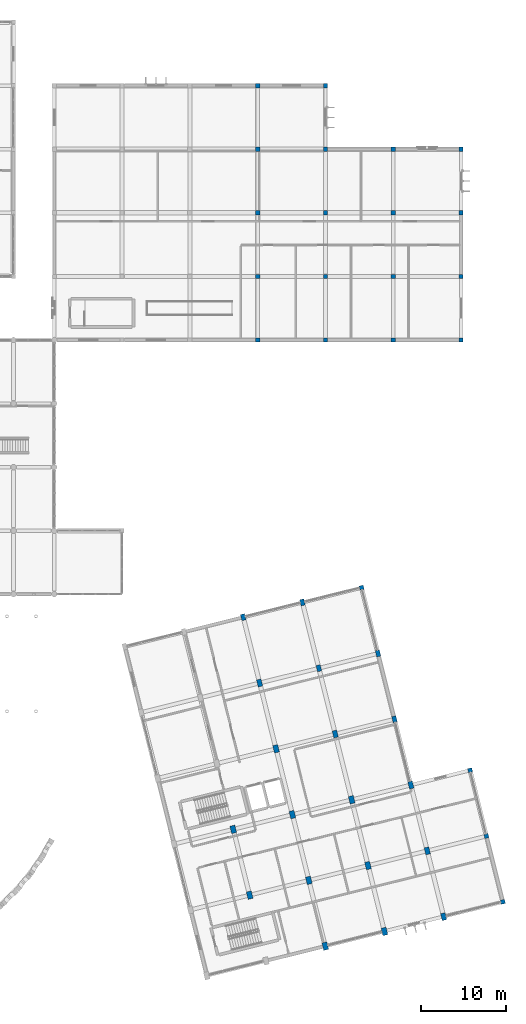
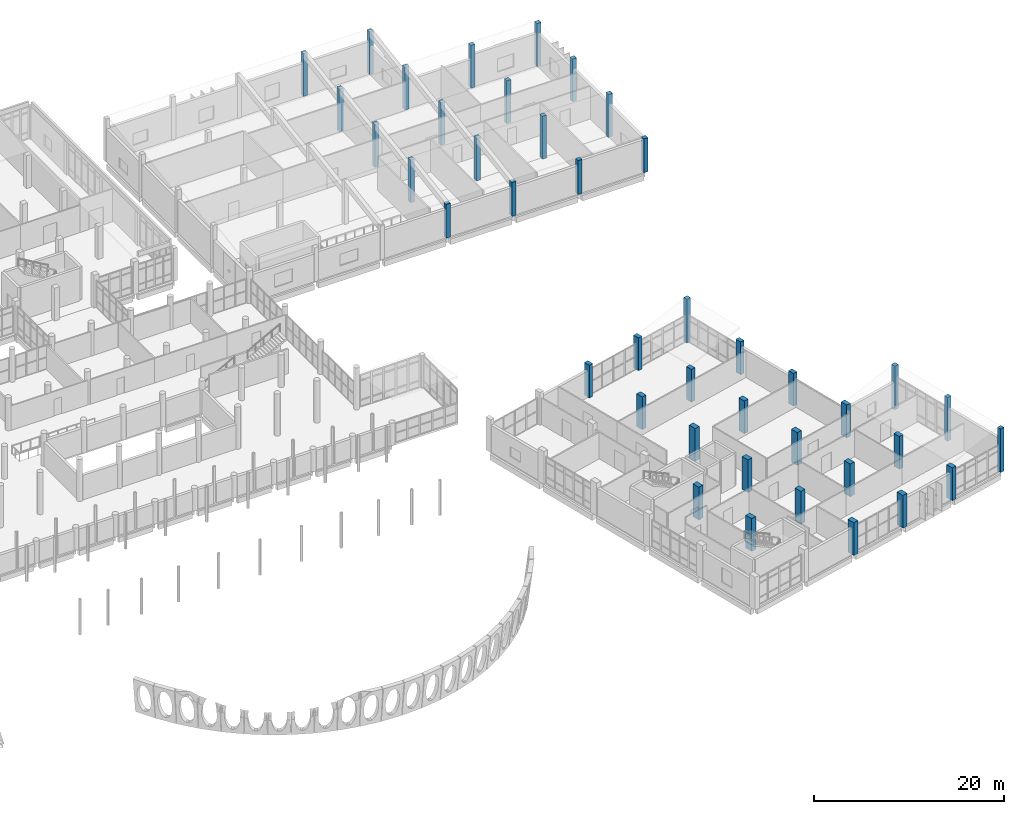
# One storey, part 13 of 164: 41 columns.
"""IFC4 building model written with IfcOpenShell, lengths in metres."""

from ifc_helpers import new_model, si_unit, direction, frame, origin, origin_2d, place, context, subcontext, project, spatial, rectangle, extrude, material, material_profile, profile_set, type_object, element, save


model = new_model("IFC4")

# Units and contexts
model_context = context("Model", 3, precision=1e-05, world=origin(), true_north=direction((0.0, 1.0)))
body_context = subcontext(model_context, "Body", "Model", "MODEL_VIEW")
ifc_project = project(units=[si_unit("LENGTHUNIT", "METRE"), si_unit("AREAUNIT", "SQUARE_METRE"), si_unit("VOLUMEUNIT", "CUBIC_METRE"), si_unit("PLANEANGLEUNIT", "RADIAN"), si_unit("MASSUNIT", "GRAM", prefix="KILO")], contexts=[model_context])

# Site, building, storey
site_placement = place(None, origin())
site = spatial("IfcSite", under=ifc_project, at=site_placement, CompositionType="ELEMENT")
building_placement = place(site_placement, origin())
building = spatial("IfcBuilding", under=site, at=building_placement, Name="Mawjan Specialist Oncology Clinic", CompositionType="ELEMENT")
storey_placement = place(building_placement, frame((0.0, 0.0, 5.0)))
storey = spatial("IfcBuildingStorey", under=building, at=storey_placement, Name="L01", CompositionType="ELEMENT", Elevation=5.0)

# Columns
ifc_material_1 = material(Name="Concrete C45/55", Category="concrete")
ifc_material_profile_1 = material_profile(ifc_material_1, rectangle(XDim=0.5, YDim=0.5, at=origin_2d()), Name="RC COL 500x500", Category="concrete")
ifc_profile_set_1 = profile_set([ifc_material_profile_1], Name="Concrete C45/55")
column_type_1 = type_object("IfcColumnType", Name="C-500", PredefinedType="COLUMN", material=ifc_profile_set_1)
column_1_placement = place(storey_placement, frame((132.0, 75.800048828125, 0.0), z_axis=(0.0, 0.0, 1.0), x_axis=(1.0, 0.0, 0.0)))
element("IfcColumn", 1, at=column_1_placement, inside=storey, type_object=column_type_1, Name="L01 Column G-22-L", PredefinedType="COLUMN", context=body_context, shape_type="SweptSolid", body=[
    extrude(rectangle(XDim=0.5, YDim=0.5, at=origin_2d()), origin(), (0.0, 0.0, 1.0), 4.355712890625),
])
for number, where, z_axis, x_axis, name in (
    (2, (132.0, 83.300048828125, 0.0), (0.0, 0.0, 1.0), (1.0, 0.0, 0.0), "L01 Column G-22-M"),
    (3, (132.0, 90.800048828125, 0.0), (0.0, 0.0, 1.0), (1.0, 0.0, 0.0), "L01 Column G-22-N"),
    (4, (132.0, 98.300048828125, 0.0), (0.0, 0.0, 1.0), (1.0, 0.0, 0.0), "L01 Column G-22-P"),
    (5, (132.0, 105.800048828125, 0.0), (0.0, 0.0, 1.0), (1.0, 0.0, 0.0), "L01 Column G-22-Q"),
):
    element("IfcColumn", number, at=place(storey_placement, frame(where, z_axis=z_axis, x_axis=x_axis)), inside=storey, type_object=column_type_1, Name=name, PredefinedType="COLUMN", context=body_context, shape_type="SweptSolid", body=[
        extrude(rectangle(XDim=0.5, YDim=0.5, at=origin_2d()), origin(), (0.0, 0.0, 1.0), 5.5),
    ])
column_2_placement = place(storey_placement, frame((140.0, 75.800048828125, 0.0), z_axis=(0.0, 0.0, 1.0), x_axis=(1.0, 0.0, 0.0)))
element("IfcColumn", 6, at=column_2_placement, inside=storey, type_object=column_type_1, Name="L01 Column G-23-L", PredefinedType="COLUMN", context=body_context, shape_type="SweptSolid", body=[
    extrude(rectangle(XDim=0.5, YDim=0.5, at=origin_2d()), origin(), (0.0, 0.0, 1.0), 4.355712890625),
])
for number, where, z_axis, x_axis, name in (
    (7, (140.0, 83.300048828125, 0.0), (0.0, 0.0, 1.0), (1.0, 0.0, 0.0), "L01 Column G-23-M"),
    (8, (140.0, 90.800048828125, 0.0), (0.0, 0.0, 1.0), (1.0, 0.0, 0.0), "L01 Column G-23-N"),
    (9, (140.0, 98.300048828125, 0.0), (0.0, 0.0, 1.0), (1.0, 0.0, 0.0), "L01 Column G-23-P"),
    (10, (140.0, 105.800048828125, 0.0), (0.0, 0.0, 1.0), (1.0, 0.0, 0.0), "L01 Column G-23-Q"),
):
    element("IfcColumn", number, at=place(storey_placement, frame(where, z_axis=z_axis, x_axis=x_axis)), inside=storey, type_object=column_type_1, Name=name, PredefinedType="COLUMN", context=body_context, shape_type="SweptSolid", body=[
        extrude(rectangle(XDim=0.5, YDim=0.5, at=origin_2d()), origin(), (0.0, 0.0, 1.0), 5.5),
    ])
column_3_placement = place(storey_placement, frame((148.0, 75.800048828125, 0.0), z_axis=(0.0, 0.0, 1.0), x_axis=(1.0, 0.0, 0.0)))
element("IfcColumn", 11, at=column_3_placement, inside=storey, type_object=column_type_1, Name="L01 Column G-24-L", PredefinedType="COLUMN", context=body_context, shape_type="SweptSolid", body=[
    extrude(rectangle(XDim=0.5, YDim=0.5, at=origin_2d()), origin(), (0.0, 0.0, 1.0), 4.355712890625),
])
for number, where, z_axis, x_axis, name in (
    (12, (148.0, 83.300048828125, 0.0), (0.0, 0.0, 1.0), (1.0, 0.0, 0.0), "L01 Column G-24-M"),
    (13, (148.0, 90.800048828125, 0.0), (0.0, 0.0, 1.0), (1.0, 0.0, 0.0), "L01 Column G-24-N"),
    (14, (148.0, 98.300048828125, 0.0), (0.0, 0.0, 1.0), (1.0, 0.0, 0.0), "L01 Column G-24-P"),
):
    element("IfcColumn", number, at=place(storey_placement, frame(where, z_axis=z_axis, x_axis=x_axis)), inside=storey, type_object=column_type_1, Name=name, PredefinedType="COLUMN", context=body_context, shape_type="SweptSolid", body=[
        extrude(rectangle(XDim=0.5, YDim=0.5, at=origin_2d()), origin(), (0.0, 0.0, 1.0), 5.5),
    ])
column_4_placement = place(storey_placement, frame((156.0, 75.800048828125, 0.0), z_axis=(0.0, 0.0, 1.0), x_axis=(1.0, 0.0, 0.0)))
element("IfcColumn", 15, at=column_4_placement, inside=storey, type_object=column_type_1, Name="L01 Column G-25-L", PredefinedType="COLUMN", context=body_context, shape_type="SweptSolid", body=[
    extrude(rectangle(XDim=0.5, YDim=0.5, at=origin_2d()), origin(), (0.0, 0.0, 1.0), 4.355712890625),
])
for number, where, z_axis, x_axis, name in (
    (16, (156.0, 83.300048828125, 0.0), (0.0, 0.0, 1.0), (1.0, 0.0, 0.0), "L01 Column G-25-M"),
    (17, (156.0, 90.800048828125, 0.0), (0.0, 0.0, 1.0), (1.0, 0.0, 0.0), "L01 Column G-25-N"),
    (18, (156.0, 98.300048828125, 0.0), (0.0, 0.0, 1.0), (1.0, 0.0, 0.0), "L01 Column G-25-P"),
):
    element("IfcColumn", number, at=place(storey_placement, frame(where, z_axis=z_axis, x_axis=x_axis)), inside=storey, type_object=column_type_1, Name=name, PredefinedType="COLUMN", context=body_context, shape_type="SweptSolid", body=[
        extrude(rectangle(XDim=0.5, YDim=0.5, at=origin_2d()), origin(), (0.0, 0.0, 1.0), 5.5),
    ])
for number, where, z_axis, x_axis, name in (
    (19, (144.267578125, 46.5791015625, 0.0), (0.0, 0.0, 1.0), (0.970295726276, 0.2419218956, 0.0), "L01 Column R-RE-R6"),
    (20, (160.9306640625, 9.50927734375, 0.0), (0.0, 0.0, 1.0), (0.970295726276, 0.2419218956, 0.0), "L01 Column R-RF-R1"),
    (21, (158.995361328125, 17.271484375, 0.0), (0.0, 0.0, 1.0), (0.970295726276, 0.2419218956, 0.0), "L01 Column R-RF-R2"),
    (22, (157.059814453125, 25.033935546875, 0.0), (0.0, 0.0, 1.0), (0.970295726276, 0.2419218956, 0.0), "L01 Column R-RF-R3"),
):
    element("IfcColumn", number, at=place(storey_placement, frame(where, z_axis=z_axis, x_axis=x_axis)), inside=storey, type_object=column_type_1, Name=name, PredefinedType="COLUMN", context=body_context, shape_type="SweptSolid", body=[
        extrude(rectangle(XDim=0.5, YDim=0.5, at=origin_2d()), origin(), (0.0, 0.0, 1.0), 5.595947265625),
    ])
ifc_material_2 = material(Name="Concrete C45/55", Category="concrete")
ifc_material_profile_2 = material_profile(ifc_material_2, rectangle(XDim=0.5, YDim=0.75, at=origin_2d()), Name="RC COL 500x750", Category="concrete")
ifc_profile_set_2 = profile_set([ifc_material_profile_2], Name="Concrete C45/55")
column_type_2 = type_object("IfcColumnType", Name="C-500x750", PredefinedType="COLUMN", material=ifc_profile_set_2)
for number, where, z_axis, x_axis, name in (
    (23, (130.29541015625, 43.095458984375, 0.0), (0.0, 0.0, 1.0), (0.970295726276, 0.2419218956, 0.0), "L01 Column R-RC-R6"),
    (24, (139.216796875, 37.074951171875, 0.0), (0.0, 0.0, 1.0), (0.970295726276, 0.2419218956, 0.0), "L01 Column R-RD-R5"),
    (25, (137.281494140625, 44.83740234375, 0.0), (0.0, 0.0, 1.0), (0.970295726276, 0.2419218956, 0.0), "L01 Column R-RD-R6"),
    (26, (148.138427734375, 31.054443359375, 0.0), (0.0, 0.0, 1.0), (0.970295726276, 0.2419218956, 0.0), "L01 Column R-RE-R4"),
    (27, (146.203125, 38.81689453125, 0.0), (0.0, 0.0, 1.0), (0.970295726276, 0.2419218956, 0.0), "L01 Column R-RE-R5"),
):
    element("IfcColumn", number, at=place(storey_placement, frame(where, z_axis=z_axis, x_axis=x_axis)), inside=storey, type_object=column_type_2, Name=name, PredefinedType="COLUMN", context=body_context, shape_type="SweptSolid", body=[
        extrude(rectangle(XDim=0.5, YDim=0.75, at=origin_2d()), origin(), (0.0, 0.0, 1.0), 4.199951171875),
    ])
ifc_material_3 = material(Name="Concrete C45/55", Category="concrete")
ifc_material_profile_3 = material_profile(ifc_material_3, rectangle(XDim=0.550048828125, YDim=0.85009765625, at=origin_2d()), Name="RC COL 550x850", Category="concrete")
ifc_profile_set_3 = profile_set([ifc_material_profile_3], Name="Concrete C45/55")
column_type_3 = type_object("IfcColumnType", Name="C-550x850", PredefinedType="COLUMN", material=ifc_profile_set_3)
for number, where, z_axis, x_axis, name in (
    (28, (132.230712890625, 35.333251953125, 0.0), (0.0, 0.0, 1.0), (0.970295726276, 0.2419218956, 0.0), "L01 Column R-RC-R5"),
    (29, (141.15234375, 29.3125, 0.0), (0.0, 0.0, 1.0), (0.970295726276, 0.2419218956, 0.0), "L01 Column R-RD-R4"),
    (30, (153.944580078125, 7.767333984375, 0.0), (0.0, 0.0, 1.0), (0.970295726276, 0.2419218956, 0.0), "L01 Column R-RE-R1"),
    (31, (152.009033203125, 15.52978515625, 0.0), (0.0, 0.0, 1.0), (0.970295726276, 0.2419218956, 0.0), "L01 Column R-RE-R2"),
    (32, (150.07373046875, 23.2919921875, 0.0), (0.0, 0.0, 1.0), (0.970295726276, 0.2419218956, 0.0), "L01 Column R-RE-R3"),
):
    element("IfcColumn", number, at=place(storey_placement, frame(where, z_axis=z_axis, x_axis=x_axis)), inside=storey, type_object=column_type_3, Name=name, PredefinedType="COLUMN", context=body_context, shape_type="SweptSolid", body=[
        extrude(rectangle(XDim=0.550048828125, YDim=0.85009765625, at=origin_2d()), origin(), (0.0, 0.0, 1.0), 4.199951171875),
    ])
ifc_material_4 = material(Name="Concrete C45/55", Category="concrete")
ifc_material_profile_4 = material_profile(ifc_material_4, rectangle(XDim=0.60009765625, YDim=0.89990234375, at=origin_2d()), Name="RC COL 600x900", Category="concrete")
ifc_profile_set_4 = profile_set([ifc_material_profile_4], Name="Concrete C45/55")
column_type_4 = type_object("IfcColumnType", Name="C-600x900", PredefinedType="COLUMN", material=ifc_profile_set_4)
for number, where, z_axis, x_axis, name in (
    (33, (131.05078125, 10.30419921875, 0.0), (0.0, 0.0, 1.0), (0.970295726276, 0.2419218956, 0.0), "L01 Column R-RB-R2"),
    (34, (129.115478515625, 18.066650390625, 0.0), (0.0, 0.0, 1.0), (0.970295726276, 0.2419218956, 0.0), "L01 Column R-RB-R3"),
    (35, (139.97216796875, 4.28369140625, 0.0), (0.0, 0.0, 1.0), (0.970295726276, 0.2419218956, 0.0), "L01 Column R-RC-R1"),
    (36, (138.036865234375, 12.046142578125, 0.0), (0.0, 0.0, 1.0), (0.970295726276, 0.2419218956, 0.0), "L01 Column R-RC-R2"),
    (37, (136.1015625, 19.808349609375, 0.0), (0.0, 0.0, 1.0), (0.970295726276, 0.2419218956, 0.0), "L01 Column R-RC-R3"),
    (38, (134.166015625, 27.57080078125, 0.0), (0.0, 0.0, 1.0), (0.970295726276, 0.2419218956, 0.0), "L01 Column R-RC-R4"),
    (39, (146.95849609375, 6.025634765625, 0.0), (0.0, 0.0, 1.0), (0.970295726276, 0.2419218956, 0.0), "L01 Column R-RD-R1"),
    (40, (145.02294921875, 13.787841796875, 0.0), (0.0, 0.0, 1.0), (0.970295726276, 0.2419218956, 0.0), "L01 Column R-RD-R2"),
    (41, (143.087646484375, 21.55029296875, 0.0), (0.0, 0.0, 1.0), (0.970295726276, 0.2419218956, 0.0), "L01 Column R-RD-R3"),
):
    element("IfcColumn", number, at=place(storey_placement, frame(where, z_axis=z_axis, x_axis=x_axis)), inside=storey, type_object=column_type_4, Name=name, PredefinedType="COLUMN", context=body_context, shape_type="SweptSolid", body=[
        extrude(rectangle(XDim=0.60009765625, YDim=0.89990234375, at=origin_2d()), origin(), (0.0, 0.0, 1.0), 4.199951171875),
    ])

save(model, "model.ifc")
